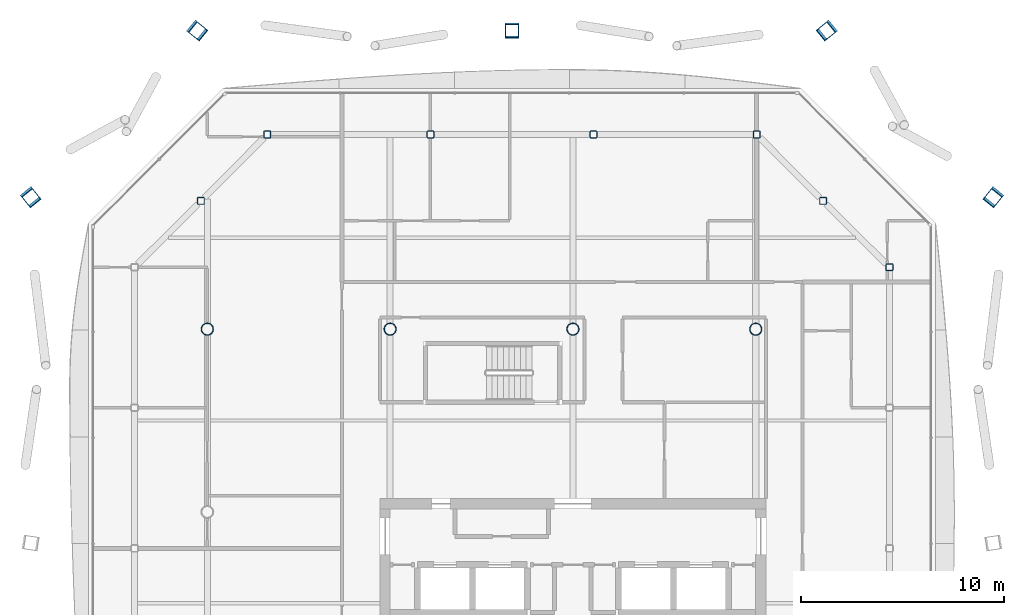
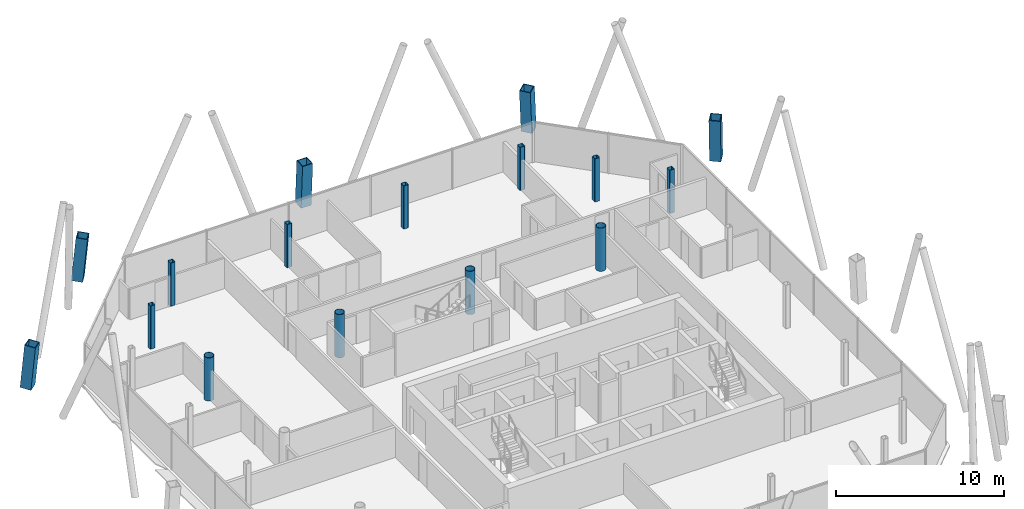
# One storey, part 3 of 20: 16 columns.
"""IFC4 building model written with IfcOpenShell, lengths in metres."""

from ifc_helpers import new_model, si_unit, direction, frame, origin, origin_2d, place, context, subcontext, project, spatial, hollow_rectangle, hollow_circle, extrude, material, material_profile, profile_set, type_object, element, save


model = new_model("IFC4")

# Units and contexts
model_context = context("Model", 3, precision=1e-05, world=origin(), true_north=direction((0.0, 1.0)))
body_context = subcontext(model_context, "Body", "Model", "MODEL_VIEW")
ifc_project = project(units=[si_unit("LENGTHUNIT", "METRE"), si_unit("AREAUNIT", "SQUARE_METRE"), si_unit("VOLUMEUNIT", "CUBIC_METRE"), si_unit("PLANEANGLEUNIT", "RADIAN"), si_unit("MASSUNIT", "GRAM", prefix="KILO")], contexts=[model_context])

# Site, building, storey
site_placement = place(None, origin())
site = spatial("IfcSite", under=ifc_project, at=site_placement, CompositionType="ELEMENT")
building_placement = place(site_placement, origin())
building = spatial("IfcBuilding", under=site, at=building_placement, Name="Tskaro Facet Tower", CompositionType="ELEMENT")
storey_placement = place(building_placement, frame((0.0, 0.0, 181.64990234375)))
storey = spatial("IfcBuildingStorey", under=building, at=storey_placement, Name="L45", CompositionType="ELEMENT", Elevation=181.64990234375)

# Columns
ifc_material_1 = material(Name="Steel S460M", Category="steel")
ifc_material_profile_1 = material_profile(ifc_material_1, hollow_rectangle(XDim=0.699951171875, YDim=0.699951171875, WallThickness=0.044921875, at=origin_2d()), Name="BOX 700x700x45")
ifc_profile_set_1 = profile_set([ifc_material_profile_1], Name="Steel S460M")
column_type_1 = type_object("IfcColumnType", Name="BOX 700x700x45 mega column", PredefinedType="COLUMN", material=ifc_profile_set_1)
for number, where, z_axis, x_axis, name in (
    (1, (20.72802734375, 15.535888671875, 0.0), (-0.057572363847, -0.071386644181, 0.995785805258), (0.77839977459, -0.627768899291, 0.0), "BOX 700x700x45 MC06/4"),
    (2, (12.535888671875, 23.72802734375, 0.0), (-0.071386644181, -0.057572363847, 0.995785805258), (0.627768899291, -0.77839977459, 0.0), "BOX 700x700x45 MC07/4"),
):
    element("IfcColumn", number, at=place(storey_placement, frame(where, z_axis=z_axis, x_axis=x_axis)), inside=storey, type_object=column_type_1, Name=name, PredefinedType="COLUMN", context=body_context, shape_type="SweptSolid", body=[
        extrude(hollow_rectangle(XDim=0.699951171875, YDim=0.699951171875, WallThickness=0.044921875, at=origin_2d()), origin(), (0.0, 0.0, 1.0), 3.16357421875),
    ])
column_placement = place(storey_placement, frame((-3.0, 23.72802734375, 0.0), z_axis=(0.0, -0.057719622824, 0.998332832847), x_axis=(1.0, 0.0, 0.0)))
element("IfcColumn", 3, at=column_placement, inside=storey, type_object=column_type_1, Name="BOX 700x700x45 MC08/4", PredefinedType="COLUMN", context=body_context, shape_type="SweptSolid", body=[
    extrude(hollow_rectangle(XDim=0.699951171875, YDim=0.699951171875, WallThickness=0.044921875, at=origin_2d()), origin(), (0.0, 0.0, 1.0), 3.155517578125),
])
for number, where, z_axis, x_axis, name in (
    (4, (-18.535888671875, 23.72802734375, 0.0), (0.071386644181, -0.057572363847, 0.995785805258), (0.627768899291, 0.77839977459, 0.0), "BOX 700x700x45 MC09/4"),
    (5, (-26.72802734375, 15.535888671875, 0.0), (0.057572363847, -0.071386644181, 0.995785805258), (0.77839977459, 0.627768899291, 0.0), "BOX 700x700x45 MC10/4"),
):
    element("IfcColumn", number, at=place(storey_placement, frame(where, z_axis=z_axis, x_axis=x_axis)), inside=storey, type_object=column_type_1, Name=name, PredefinedType="COLUMN", context=body_context, shape_type="SweptSolid", body=[
        extrude(hollow_rectangle(XDim=0.699951171875, YDim=0.699951171875, WallThickness=0.044921875, at=origin_2d()), origin(), (0.0, 0.0, 1.0), 3.16357421875),
    ])
ifc_material_2 = material(Name="Steel S355J2H", Category="steel")
ifc_material_profile_2 = material_profile(ifc_material_2, hollow_circle(Radius=0.304931640625, WallThickness=0.030029296875, at=origin_2d()), Name="CHS 610x30")
ifc_profile_set_2 = profile_set([ifc_material_profile_2], Name="Steel S355J2H")
column_type_2 = type_object("IfcColumnType", Name="CHS 610x30 interior column", PredefinedType="COLUMN", material=ifc_profile_set_2)
for number, where, z_axis, x_axis, name in (
    (6, (-18.0, 9.0, 0.0), (0.0, 0.0, 1.0), (1.0, 0.0, 0.0), "CHS 610x30 C2E/4"),
    (7, (-9.0, 9.0, 0.0), (0.0, 0.0, 1.0), (1.0, 0.0, 0.0), "CHS 610x30 C3E/4"),
    (8, (0.0, 9.0, 0.0), (0.0, 0.0, 1.0), (1.0, 0.0, 0.0), "CHS 610x30 C4E/4"),
    (9, (9.0, 9.0, 0.0), (0.0, 0.0, 1.0), (1.0, 0.0, 0.0), "CHS 610x30 C5E/4"),
):
    element("IfcColumn", number, at=place(storey_placement, frame(where, z_axis=z_axis, x_axis=x_axis)), inside=storey, type_object=column_type_2, Name=name, PredefinedType="COLUMN", context=body_context, shape_type="SweptSolid", body=[
        extrude(hollow_circle(Radius=0.304931640625, WallThickness=0.030029296875, at=origin_2d()), origin(), (0.0, 0.0, 1.0), 3.150146484375),
    ])
ifc_material_profile_3 = material_profile(ifc_material_2, hollow_rectangle(XDim=0.35009765625, YDim=0.35009765625, WallThickness=0.02001953125, InnerFilletRadius=0.030029296875, OuterFilletRadius=0.050048828125, at=origin_2d()), Name="SHS 350x350x20")
ifc_profile_set_3 = profile_set([ifc_material_profile_3], Name="Steel S355J2H")
column_type_3 = type_object("IfcColumnType", Name="SHS 350x350x20 ring column", PredefinedType="COLUMN", material=ifc_profile_set_3)
for number, where, z_axis, x_axis, name in (
    (10, (15.5830078125, 12.0458984375, 0.0), (0.0, 0.0, 1.0), (1.0, 0.0, 0.0), "SHS 350x350x20 RNE-1/4"),
    (11, (12.31396484375, 15.31396484375, 0.0), (0.0, 0.0, 1.0), (1.0, 0.0, 0.0), "SHS 350x350x20 RNE-2/4"),
    (12, (9.0458984375, 18.5830078125, 0.0), (0.0, 0.0, 1.0), (1.0, 0.0, 0.0), "SHS 350x350x20 RN-1/4"),
    (13, (1.014892578125, 18.5830078125, 0.0), (0.0, 0.0, 1.0), (1.0, 0.0, 0.0), "SHS 350x350x20 RN-2/4"),
    (14, (-7.014892578125, 18.5830078125, 0.0), (0.0, 0.0, 1.0), (1.0, 0.0, 0.0), "SHS 350x350x20 RN-3/4"),
    (15, (-15.0458984375, 18.5830078125, 0.0), (0.0, 0.0, 1.0), (1.0, 0.0, 0.0), "SHS 350x350x20 RNW-1/4"),
    (16, (-18.31396484375, 15.31396484375, 0.0), (0.0, 0.0, 1.0), (1.0, 0.0, 0.0), "SHS 350x350x20 RNW-2/4"),
):
    element("IfcColumn", number, at=place(storey_placement, frame(where, z_axis=z_axis, x_axis=x_axis)), inside=storey, type_object=column_type_3, Name=name, PredefinedType="COLUMN", context=body_context, shape_type="SweptSolid", body=[
        extrude(hollow_rectangle(XDim=0.35009765625, YDim=0.35009765625, WallThickness=0.02001953125, InnerFilletRadius=0.030029296875, OuterFilletRadius=0.050048828125, at=origin_2d()), origin(), (0.0, 0.0, 1.0), 3.150146484375),
    ])

save(model, "model.ifc")
